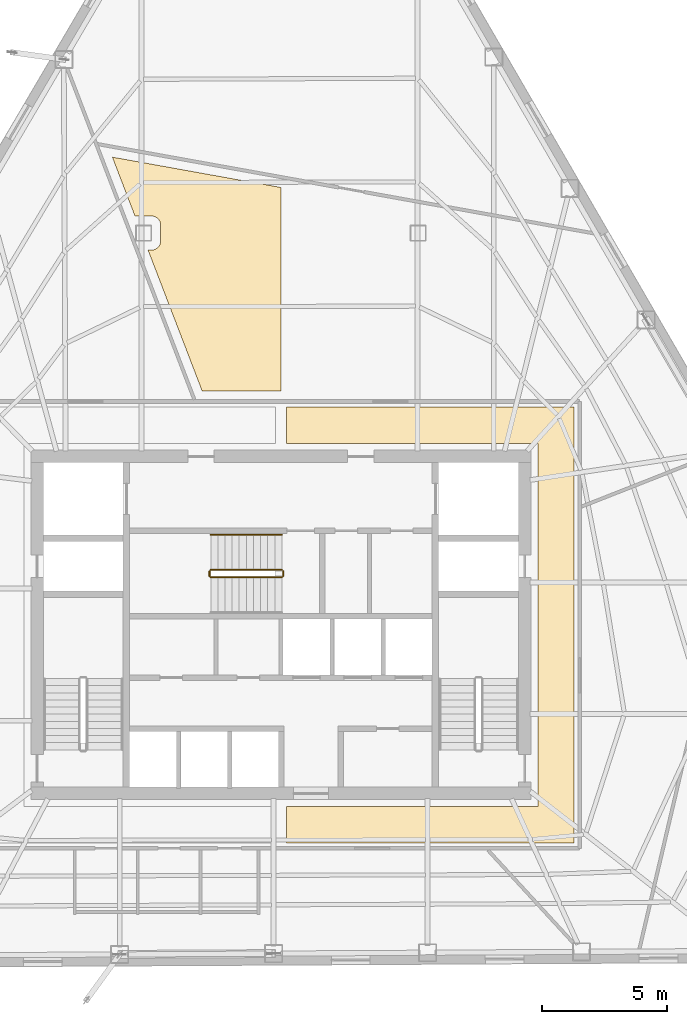
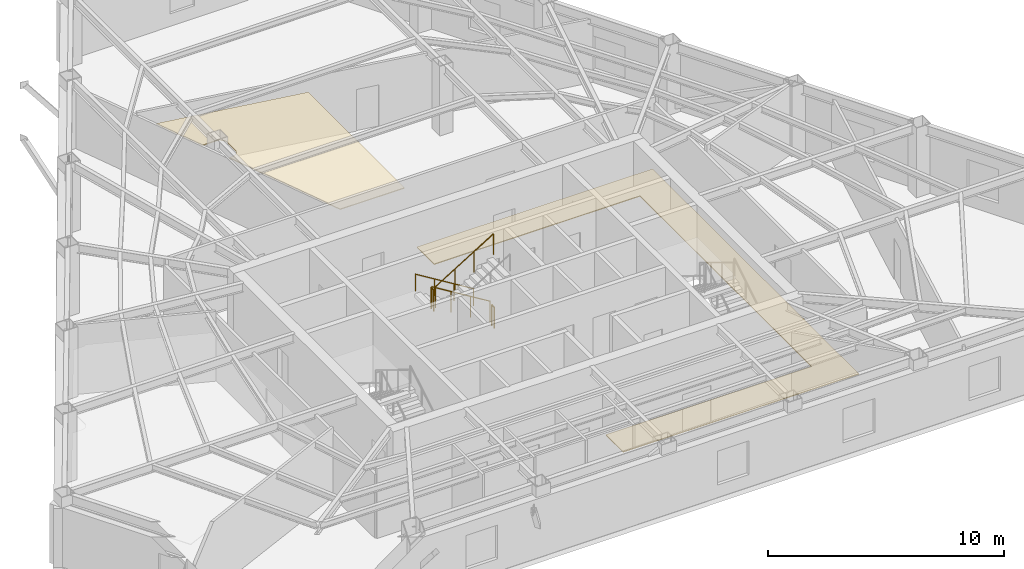
# One storey, part 10 of 11: 5 railings, 2 coverings.
"""IFC4 building model written with IfcOpenShell, lengths in metres."""

from ifc_helpers import new_model, si_unit, direction, frame, origin, origin_2d, place, context, subcontext, project, spatial, polyline, circle, outline, extrude, material, layer, layer_set, type_object, element, save


model = new_model("IFC4")

# Units and contexts
model_context = context("Model", 3, precision=1e-05, world=origin(), true_north=direction((0.0, 1.0)))
body_context = subcontext(model_context, "Body", "Model", "MODEL_VIEW")
ifc_project = project(units=[si_unit("LENGTHUNIT", "METRE"), si_unit("AREAUNIT", "SQUARE_METRE"), si_unit("VOLUMEUNIT", "CUBIC_METRE"), si_unit("PLANEANGLEUNIT", "RADIAN"), si_unit("MASSUNIT", "GRAM", prefix="KILO")], contexts=[model_context])

# Site, building, storey
site_placement = place(None, origin())
site = spatial("IfcSite", under=ifc_project, at=site_placement, CompositionType="ELEMENT")
building_placement = place(site_placement, origin())
building = spatial("IfcBuilding", under=site, at=building_placement, Name="Kavelnor Concourse Tower", CompositionType="ELEMENT")
storey_placement = place(building_placement, frame((0.0, 0.0, 139.39990234375)))
storey = spatial("IfcBuildingStorey", under=building, at=storey_placement, Name="L35", CompositionType="ELEMENT", Elevation=139.39990234375)

# Coverings
ifc_material_1 = material(Name="Mineral fibre acoustic ceiling tile")
ifc_layer_1 = layer(ifc_material_1, 0.0400390625, Name="Mineral fibre acoustic ceiling tile")
ifc_layer_set_1 = layer_set([ifc_layer_1], Name="Mineral fibre acoustic ceiling tile")
covering_type_1 = type_object("IfcCoveringType", Name="COV-CEILING-ACOUSTIC", PredefinedType="CEILING", material=ifc_layer_set_1)
covering_1_placement = place(storey_placement, frame((0.0, 0.0, 2.75)))
element("IfcCovering", 1, at=covering_1_placement, inside=storey, type_object=covering_type_1, Name="L35 Suspended Acoustic Ceiling", PredefinedType="CEILING", context=body_context, shape_type="SweptSolid", body=[
    extrude(outline(polyline([(37.9951171875, 33.626953125), (37.9951171875, 25.472412109375), (34.84521484375, 25.472412109375), (32.676513671875, 31.1201171875), (32.828369140625, 31.1201171875), (32.855224609375, 31.121337890625), (32.890380859375, 31.12646484375), (32.924560546875, 31.135009765625), (32.9580078125, 31.14697265625), (32.989990234375, 31.162109375), (33.020263671875, 31.180419921875), (33.048583984375, 31.201416015625), (33.07470703125, 31.22509765625), (33.0986328125, 31.25146484375), (33.11962890625, 31.27978515625), (33.137939453125, 31.31005859375), (33.153076171875, 31.342041015625), (33.164794921875, 31.37548828125), (33.173583984375, 31.40966796875), (33.1787109375, 31.444580078125), (33.179931640625, 31.4716796875), (33.179931640625, 32.12841796875), (33.1787109375, 32.1552734375), (33.173583984375, 32.190185546875), (33.164794921875, 32.224609375), (33.153076171875, 32.2578125), (33.137939453125, 32.289794921875), (33.11962890625, 32.3203125), (33.0986328125, 32.3486328125), (33.07470703125, 32.374755859375), (33.048583984375, 32.398681640625), (33.020263671875, 32.419677734375), (32.989990234375, 32.43798828125), (32.9580078125, 32.452880859375), (32.924560546875, 32.46484375), (32.890380859375, 32.473388671875), (32.855224609375, 32.478759765625), (32.828369140625, 32.47998046875), (32.171630859375, 32.47998046875), (32.154541015625, 32.479248046875), (31.24755859375, 34.841064453125), (37.9951171875, 33.626953125)])), origin(), (0.0, 0.0, 1.0), 0.0400390625),
])
ifc_material_2 = material(Name="Honed bluestone and raised access floor finish", Category="masonry")
ifc_layer_2 = layer(ifc_material_2, 0.0400390625, Name="Honed bluestone and raised access floor finish")
ifc_layer_set_2 = layer_set([ifc_layer_2], Name="Honed bluestone and raised access floor finish")
covering_type_2 = type_object("IfcCoveringType", Name="COV-FLOOR-STONE", PredefinedType="FLOORING", material=ifc_layer_set_2)
covering_2_placement = place(storey_placement, frame((0.0, 0.0, 0.002197265625)))
element("IfcCovering", 2, at=covering_2_placement, inside=storey, type_object=covering_type_2, Name="L35 Honed Bluestone Floor Finish", PredefinedType="FLOORING", context=body_context, shape_type="SweptSolid", body=[
    extrude(outline(polyline([(49.75, 7.3701171875), (38.22509765625, 7.3701171875), (38.22509765625, 8.830078125), (48.2900390625, 8.830078125), (48.2900390625, 23.3701171875), (38.22509765625, 23.3701171875), (38.22509765625, 24.830078125), (49.75, 24.830078125), (49.75, 7.3701171875)])), origin(), (0.0, 0.0, 1.0), 0.039794921875),
])

# Railings
ifc_material_3 = material(Name="Steel Grade 350", Category="steel")
railing_type_1 = type_object("IfcRailingType", Name="RLG-GUARD-1100", PredefinedType="GUARDRAIL", material=ifc_material_3)
railing_1_placement = place(storey_placement, frame((38.0400390625, 18.31005859375, 0.175048828125)))
element("IfcRailing", 3, at=railing_1_placement, inside=storey, type_object=railing_type_1, Name="L35 ST3 stair guard 1", PredefinedType="GUARDRAIL", context=body_context, shape_type="SweptSolid", body=[
    extrude(circle(Radius=0.02392578125, at=origin_2d()), frame((0.0, 0.0, 1.076171875), z_axis=(-0.852179220489, 0.0, 0.52325001306), x_axis=(0.0, -1.0, 0.0)), (0.0, 0.0, 1.0), 3.344482421875),
    extrude(circle(Radius=0.02099609375, at=origin_2d()), origin(), (0.0, 0.0, 1.0), 1.052001953125),
    extrude(circle(Radius=0.02099609375, at=origin_2d()), frame((-0.949951171875, 0.0, 0.583251953125)), (0.0, 0.0, 1.0), 1.052001953125),
    extrude(circle(Radius=0.02099609375, at=origin_2d()), frame((-1.900146484375, 0.0, 1.166748046875)), (0.0, 0.0, 1.0), 1.052001953125),
    extrude(circle(Radius=0.02099609375, at=origin_2d()), frame((-2.85009765625, 0.0, 1.75)), (0.0, 0.0, 1.0), 1.052001953125),
])
railing_2_placement = place(storey_placement, frame((35.139892578125, 18.260009765625, 1.925048828125)))
element("IfcRailing", 4, at=railing_2_placement, inside=storey, type_object=railing_type_1, Name="L35 ST3 stair guard 2", PredefinedType="GUARDRAIL", context=body_context, shape_type="SweptSolid", body=[
    extrude(circle(Radius=0.02392578125, at=origin_2d()), frame((0.0, 0.0, 1.076171875), z_axis=(0.0, -1.0, 0.0), x_axis=(1.0, 0.0, 0.0)), (0.0, 0.0, 1.0), 0.199951171875),
    extrude(circle(Radius=0.02099609375, at=origin_2d()), origin(), (0.0, 0.0, 1.0), 1.052001953125),
    extrude(circle(Radius=0.02099609375, at=origin_2d()), frame((0.0, -0.199951171875, 0.0)), (0.0, 0.0, 1.0), 1.052001953125),
])
railing_3_placement = place(storey_placement, frame((35.18994140625, 18.010009765625, 2.10009765625)))
element("IfcRailing", 5, at=railing_3_placement, inside=storey, type_object=railing_type_1, Name="L35 ST3 stair guard 3", PredefinedType="GUARDRAIL", context=body_context, shape_type="SweptSolid", body=[
    extrude(circle(Radius=0.02392578125, at=origin_2d()), frame((0.0, 0.0, 1.076171875), z_axis=(0.852179220489, 0.0, 0.52325001306), x_axis=(0.0, 1.0, 0.0)), (0.0, 0.0, 1.0), 3.344482421875),
    extrude(circle(Radius=0.02099609375, at=origin_2d()), origin(), (0.0, 0.0, 1.0), 1.052001953125),
    extrude(circle(Radius=0.02099609375, at=origin_2d()), frame((0.949951171875, 0.0, 0.583251953125)), (0.0, 0.0, 1.0), 1.052001953125),
    extrude(circle(Radius=0.02099609375, at=origin_2d()), frame((1.900146484375, 0.0, 1.166748046875)), (0.0, 0.0, 1.0), 1.052001953125),
    extrude(circle(Radius=0.02099609375, at=origin_2d()), frame((2.85009765625, 0.0, 1.75)), (0.0, 0.0, 1.0), 1.052001953125),
])
railing_4_placement = place(storey_placement, frame((38.090087890625, 18.260009765625, 0.0)))
element("IfcRailing", 6, at=railing_4_placement, inside=storey, type_object=railing_type_1, Name="L35 ST3 stair guard 4", PredefinedType="GUARDRAIL", context=body_context, shape_type="SweptSolid", body=[
    extrude(circle(Radius=0.02392578125, at=origin_2d()), frame((0.0, 0.0, 1.076171875), z_axis=(0.0, -1.0, 0.0), x_axis=(1.0, 0.0, 0.0)), (0.0, 0.0, 1.0), 0.199951171875),
    extrude(circle(Radius=0.02099609375, at=origin_2d()), origin(), (0.0, 0.0, 1.0), 1.052001953125),
    extrude(circle(Radius=0.02099609375, at=origin_2d()), frame((0.0, -0.199951171875, 0.0)), (0.0, 0.0, 1.0), 1.052001953125),
])
railing_type_2 = type_object("IfcRailingType", Name="RLG-HANDRAIL-900", PredefinedType="HANDRAIL", material=ifc_material_3)
railing_5_placement = place(storey_placement, frame((38.0400390625, 19.7099609375, 0.175048828125)))
element("IfcRailing", 7, at=railing_5_placement, inside=storey, type_object=railing_type_2, Name="L35 ST3 stair handrail 1", PredefinedType="HANDRAIL", context=body_context, shape_type="SweptSolid", body=[
    extrude(circle(Radius=0.02392578125, at=origin_2d()), frame((0.0, 0.0, 0.8759765625), z_axis=(-0.852179220489, 0.0, 0.52325001306), x_axis=(0.0, -1.0, 0.0)), (0.0, 0.0, 1.0), 3.344482421875),
    extrude(circle(Radius=0.02099609375, at=origin_2d()), origin(), (0.0, 0.0, 1.0), 0.851806640625),
    extrude(circle(Radius=0.02099609375, at=origin_2d()), frame((-0.949951171875, 0.0, 0.583251953125)), (0.0, 0.0, 1.0), 0.851806640625),
    extrude(circle(Radius=0.02099609375, at=origin_2d()), frame((-1.900146484375, 0.0, 1.166748046875)), (0.0, 0.0, 1.0), 0.851806640625),
    extrude(circle(Radius=0.02099609375, at=origin_2d()), frame((-2.85009765625, 0.0, 1.75)), (0.0, 0.0, 1.0), 0.851806640625),
])

save(model, "model.ifc")
